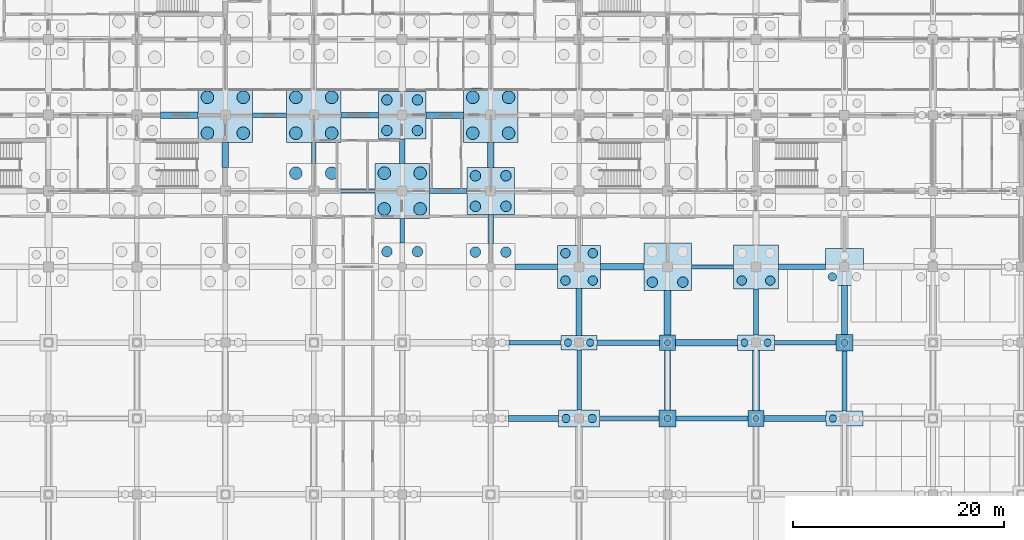
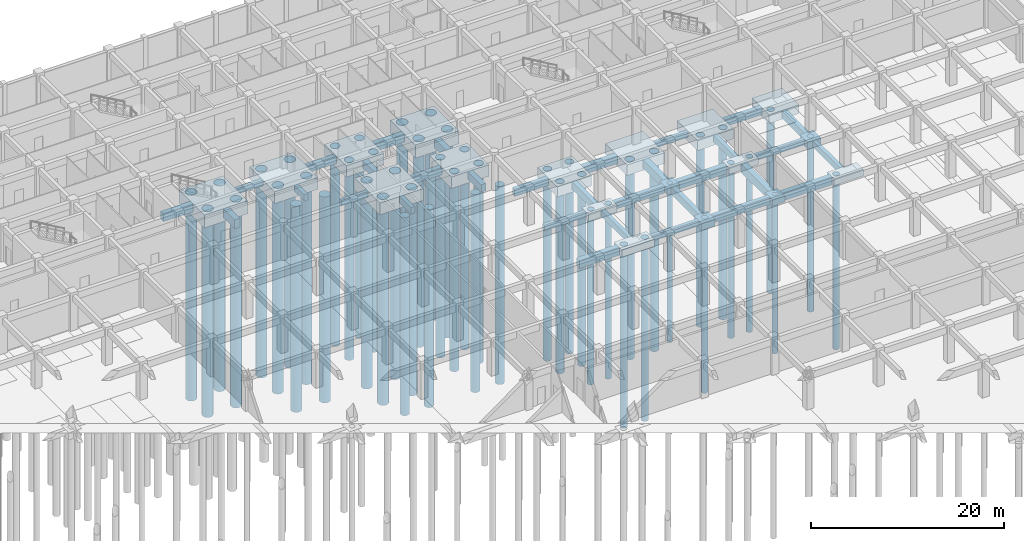
# One storey, part 10 of 85: 50 footings, 50 piles.
"""IFC4 building model written with IfcOpenShell, lengths in metres."""

from ifc_helpers import new_model, si_unit, direction, frame, origin, origin_2d, place, context, subcontext, project, spatial, rectangle, circle, extrude, material, material_profile, profile_set, type_object, element, save


model = new_model("IFC4")

# Units and contexts
model_context = context("Model", 3, precision=1e-05, world=origin(), true_north=direction((0.0, 1.0)))
body_context = subcontext(model_context, "Body", "Model", "MODEL_VIEW")
ifc_project = project(units=[si_unit("LENGTHUNIT", "METRE"), si_unit("AREAUNIT", "SQUARE_METRE"), si_unit("VOLUMEUNIT", "CUBIC_METRE"), si_unit("PLANEANGLEUNIT", "RADIAN"), si_unit("MASSUNIT", "GRAM", prefix="KILO")], contexts=[model_context])

# Site, building, storey
site_placement = place(None, origin())
site = spatial("IfcSite", under=ifc_project, at=site_placement, CompositionType="ELEMENT")
building_placement = place(site_placement, origin())
building = spatial("IfcBuilding", under=site, at=building_placement, Name="Chengyuan Square Courthouse", CompositionType="ELEMENT")
storey_placement = place(building_placement, frame((0.0, 0.0, -10.199951171875)))
storey = spatial("IfcBuildingStorey", under=building, at=storey_placement, Name="B02", CompositionType="ELEMENT", Elevation=-10.199951171875)

# Footings
ifc_material = material(Name="Concrete C40", Category="concrete")
ifc_material_profile_1 = material_profile(ifc_material, rectangle(XDim=0.39990234375, YDim=0.699951171875, at=origin_2d()), Name="GB-400x700")
ifc_profile_set_1 = profile_set([ifc_material_profile_1], Name="Concrete C40")
footing_type_1 = type_object("IfcFootingType", Name="GB-01", PredefinedType="FOOTING_BEAM", material=ifc_profile_set_1)
footing_1_placement = place(storey_placement, frame((102.75, 64.800048828125, -1.150146484375), z_axis=(1.0, 0.0, 0.0), x_axis=(0.0, 1.0, 0.0)))
element("IfcFooting", 1, at=footing_1_placement, inside=storey, type_object=footing_type_1, Name="Ground Tie Beam GB-B02-0193", PredefinedType="FOOTING_BEAM", context=body_context, shape_type="SweptSolid", body=[
    extrude(rectangle(XDim=0.39990234375, YDim=0.699951171875, at=origin_2d()), origin(), (0.0, 0.0, 1.0), 5.64990234375),
])
footing_2_placement = place(storey_placement, frame((94.14990234375, 72.0, -1.150146484375), z_axis=(1.0, 0.0, 0.0), x_axis=(0.0, 1.0, 0.0)))
element("IfcFooting", 2, at=footing_2_placement, inside=storey, type_object=footing_type_1, Name="Ground Tie Beam GB-B02-0212", PredefinedType="FOOTING_BEAM", context=body_context, shape_type="SweptSolid", body=[
    extrude(rectangle(XDim=0.39990234375, YDim=0.699951171875, at=origin_2d()), origin(), (0.0, 0.0, 1.0), 4.9501953125),
])
footing_3_placement = place(storey_placement, frame((119.35009765625, 72.0, -1.150146484375), z_axis=(1.0, 0.0, 0.0), x_axis=(0.0, 1.0, 0.0)))
element("IfcFooting", 3, at=footing_3_placement, inside=storey, type_object=footing_type_1, Name="Ground Tie Beam GB-B02-0215", PredefinedType="FOOTING_BEAM", context=body_context, shape_type="SweptSolid", body=[
    extrude(rectangle(XDim=0.39990234375, YDim=0.699951171875, at=origin_2d()), origin(), (0.0, 0.0, 1.0), 5.849853515625),
])
footing_4_placement = place(storey_placement, frame((111.449951171875, 79.199951171875, -1.150146484375), z_axis=(1.0, 0.0, 0.0), x_axis=(0.0, 1.0, 0.0)))
element("IfcFooting", 4, at=footing_4_placement, inside=storey, type_object=footing_type_1, Name="Ground Tie Beam GB-B02-0234", PredefinedType="FOOTING_BEAM", context=body_context, shape_type="SweptSolid", body=[
    extrude(rectangle(XDim=0.39990234375, YDim=0.699951171875, at=origin_2d()), origin(), (0.0, 0.0, 1.0), 4.0),
])
for number, where, z_axis, x_axis, name in (
    (5, (78.199951171875, 86.39990234375, -1.150146484375), (1.0, 0.0, 0.0), (0.0, 1.0, 0.0), "Ground Tie Beam GB-B02-0250"),
    (6, (69.800048828125, 93.60009765625, -1.150146484375), (1.0, 0.0, 0.0), (0.0, 1.0, 0.0), "Ground Tie Beam GB-B02-0269"),
):
    element("IfcFooting", number, at=place(storey_placement, frame(where, z_axis=z_axis, x_axis=x_axis)), inside=storey, type_object=footing_type_1, Name=name, PredefinedType="FOOTING_BEAM", context=body_context, shape_type="SweptSolid", body=[
        extrude(rectangle(XDim=0.39990234375, YDim=0.699951171875, at=origin_2d()), origin(), (0.0, 0.0, 1.0), 3.199951171875),
    ])
ifc_material_profile_2 = material_profile(ifc_material, rectangle(XDim=0.449951171875, YDim=0.800048828125, at=origin_2d()), Name="GB-450x800")
ifc_profile_set_2 = profile_set([ifc_material_profile_2], Name="Concrete C40")
footing_type_2 = type_object("IfcFootingType", Name="GB-02", PredefinedType="FOOTING_BEAM", material=ifc_profile_set_2)
footing_5_placement = place(storey_placement, frame((75.60009765625, 89.0, -1.199951171875), z_axis=(0.0, 1.0, 0.0), x_axis=(-1.0, 0.0, 0.0)))
element("IfcFooting", 7, at=footing_5_placement, inside=storey, type_object=footing_type_2, Name="Ground Tie Beam GB-B02-0503", PredefinedType="FOOTING_BEAM", context=body_context, shape_type="SweptSolid", body=[
    extrude(rectangle(XDim=0.449951171875, YDim=0.800048828125, at=origin_2d()), origin(), (0.0, 0.0, 1.0), 2.0),
])
footing_6_placement = place(storey_placement, frame((84.0, 81.449951171875, -1.199951171875), z_axis=(0.0, 1.0, 0.0), x_axis=(-1.0, 0.0, 0.0)))
element("IfcFooting", 8, at=footing_6_placement, inside=storey, type_object=footing_type_2, Name="Ground Tie Beam GB-B02-0518", PredefinedType="FOOTING_BEAM", context=body_context, shape_type="SweptSolid", body=[
    extrude(rectangle(XDim=0.449951171875, YDim=0.800048828125, at=origin_2d()), origin(), (0.0, 0.0, 1.0), 2.35009765625),
])
footing_7_placement = place(storey_placement, frame((100.800048828125, 65.625, -1.199951171875), z_axis=(0.0, 1.0, 0.0), x_axis=(-1.0, 0.0, 0.0)))
element("IfcFooting", 9, at=footing_7_placement, inside=storey, type_object=footing_type_2, Name="Ground Tie Beam GB-B02-0548", PredefinedType="FOOTING_BEAM", context=body_context, shape_type="SweptSolid", body=[
    extrude(rectangle(XDim=0.449951171875, YDim=0.800048828125, at=origin_2d()), origin(), (0.0, 0.0, 1.0), 5.675048828125),
])
footing_8_placement = place(storey_placement, frame((117.60009765625, 72.72509765625, -1.199951171875), z_axis=(0.0, 1.0, 0.0), x_axis=(-1.0, 0.0, 0.0)))
element("IfcFooting", 10, at=footing_8_placement, inside=storey, type_object=footing_type_2, Name="Ground Tie Beam GB-B02-0581", PredefinedType="FOOTING_BEAM", context=body_context, shape_type="SweptSolid", body=[
    extrude(rectangle(XDim=0.449951171875, YDim=0.800048828125, at=origin_2d()), origin(), (0.0, 0.0, 1.0), 4.375),
])
footing_9_placement = place(storey_placement, frame((126.0, 65.52490234375, -1.199951171875), z_axis=(0.0, 1.0, 0.0), x_axis=(-1.0, 0.0, 0.0)))
element("IfcFooting", 11, at=footing_9_placement, inside=storey, type_object=footing_type_2, Name="Ground Tie Beam GB-B02-0596", PredefinedType="FOOTING_BEAM", context=body_context, shape_type="SweptSolid", body=[
    extrude(rectangle(XDim=0.449951171875, YDim=0.800048828125, at=origin_2d()), origin(), (0.0, 0.0, 1.0), 5.675048828125),
])
ifc_material_profile_3 = material_profile(ifc_material, rectangle(XDim=0.5, YDim=0.89990234375, at=origin_2d()), Name="GB-500x900")
ifc_profile_set_3 = profile_set([ifc_material_profile_3], Name="Concrete C40")
footing_type_3 = type_object("IfcFootingType", Name="GB-03", PredefinedType="FOOTING_BEAM", material=ifc_profile_set_3)
footing_10_placement = place(storey_placement, frame((110.0, 64.800048828125, -1.25), z_axis=(1.0, 0.0, 0.0), x_axis=(0.0, 1.0, 0.0)))
element("IfcFooting", 12, at=footing_10_placement, inside=storey, type_object=footing_type_3, Name="Ground Tie Beam GB-B02-0194", PredefinedType="FOOTING_BEAM", context=body_context, shape_type="SweptSolid", body=[
    extrude(rectangle(XDim=0.5, YDim=0.89990234375, at=origin_2d()), origin(), (0.0, 0.0, 1.0), 6.85009765625),
])
footing_11_placement = place(storey_placement, frame((102.5, 72.0, -1.25), z_axis=(1.0, 0.0, 0.0), x_axis=(0.0, 1.0, 0.0)))
element("IfcFooting", 13, at=footing_11_placement, inside=storey, type_object=footing_type_3, Name="Ground Tie Beam GB-B02-0213", PredefinedType="FOOTING_BEAM", context=body_context, shape_type="SweptSolid", body=[
    extrude(rectangle(XDim=0.5, YDim=0.89990234375, at=origin_2d()), origin(), (0.0, 0.0, 1.0), 5.949951171875),
])
footing_12_placement = place(storey_placement, frame((94.699951171875, 79.199951171875, -1.25), z_axis=(1.0, 0.0, 0.0), x_axis=(0.0, 1.0, 0.0)))
element("IfcFooting", 14, at=footing_12_placement, inside=storey, type_object=footing_type_3, Name="Ground Tie Beam GB-B02-0232", PredefinedType="FOOTING_BEAM", context=body_context, shape_type="SweptSolid", body=[
    extrude(rectangle(XDim=0.5, YDim=0.89990234375, at=origin_2d()), origin(), (0.0, 0.0, 1.0), 4.050048828125),
])
footing_13_placement = place(storey_placement, frame((119.75, 79.199951171875, -1.25), z_axis=(1.0, 0.0, 0.0), x_axis=(0.0, 1.0, 0.0)))
element("IfcFooting", 15, at=footing_13_placement, inside=storey, type_object=footing_type_3, Name="Ground Tie Beam GB-B02-0235", PredefinedType="FOOTING_BEAM", context=body_context, shape_type="SweptSolid", body=[
    extrude(rectangle(XDim=0.5, YDim=0.89990234375, at=origin_2d()), origin(), (0.0, 0.0, 1.0), 4.449951171875),
])
footing_14_placement = place(storey_placement, frame((86.60009765625, 86.39990234375, -1.25), z_axis=(1.0, 0.0, 0.0), x_axis=(0.0, 1.0, 0.0)))
element("IfcFooting", 16, at=footing_14_placement, inside=storey, type_object=footing_type_3, Name="Ground Tie Beam GB-B02-0251", PredefinedType="FOOTING_BEAM", context=body_context, shape_type="SweptSolid", body=[
    extrude(rectangle(XDim=0.5, YDim=0.89990234375, at=origin_2d()), origin(), (0.0, 0.0, 1.0), 3.5498046875),
])
footing_15_placement = place(storey_placement, frame((78.199951171875, 93.60009765625, -1.25), z_axis=(1.0, 0.0, 0.0), x_axis=(0.0, 1.0, 0.0)))
element("IfcFooting", 17, at=footing_15_placement, inside=storey, type_object=footing_type_3, Name="Ground Tie Beam GB-B02-0270", PredefinedType="FOOTING_BEAM", context=body_context, shape_type="SweptSolid", body=[
    extrude(rectangle(XDim=0.5, YDim=0.89990234375, at=origin_2d()), origin(), (0.0, 0.0, 1.0), 3.550048828125),
])
ifc_material_profile_4 = material_profile(ifc_material, rectangle(XDim=0.550048828125, YDim=0.949951171875, at=origin_2d()), Name="GB-550x950")
ifc_profile_set_4 = profile_set([ifc_material_profile_4], Name="Concrete C40")
footing_type_4 = type_object("IfcFootingType", Name="GB-04", PredefinedType="FOOTING_BEAM", material=ifc_profile_set_4)
footing_16_placement = place(storey_placement, frame((84.0, 89.0, -1.275146484375), z_axis=(0.0, 1.0, 0.0), x_axis=(-1.0, 0.0, 0.0)))
element("IfcFooting", 18, at=footing_16_placement, inside=storey, type_object=footing_type_4, Name="Ground Tie Beam GB-B02-0519", PredefinedType="FOOTING_BEAM", context=body_context, shape_type="SweptSolid", body=[
    extrude(rectangle(XDim=0.550048828125, YDim=0.949951171875, at=origin_2d()), origin(), (0.0, 0.0, 1.0), 2.35009765625),
])
footing_17_placement = place(storey_placement, frame((92.39990234375, 81.39990234375, -1.275146484375), z_axis=(0.0, 1.0, 0.0), x_axis=(-1.0, 0.0, 0.0)))
element("IfcFooting", 19, at=footing_17_placement, inside=storey, type_object=footing_type_4, Name="Ground Tie Beam GB-B02-0534", PredefinedType="FOOTING_BEAM", context=body_context, shape_type="SweptSolid", body=[
    extrude(rectangle(XDim=0.550048828125, YDim=0.949951171875, at=origin_2d()), origin(), (0.0, 0.0, 1.0), 2.75),
])
footing_18_placement = place(storey_placement, frame((100.800048828125, 72.699951171875, -1.275146484375), z_axis=(0.0, 1.0, 0.0), x_axis=(-1.0, 0.0, 0.0)))
element("IfcFooting", 20, at=footing_18_placement, inside=storey, type_object=footing_type_4, Name="Ground Tie Beam GB-B02-0549", PredefinedType="FOOTING_BEAM", context=body_context, shape_type="SweptSolid", body=[
    extrude(rectangle(XDim=0.550048828125, YDim=0.949951171875, at=origin_2d()), origin(), (0.0, 0.0, 1.0), 4.449951171875),
])
footing_19_placement = place(storey_placement, frame((109.199951171875, 65.60009765625, -1.275146484375), z_axis=(0.0, 1.0, 0.0), x_axis=(-1.0, 0.0, 0.0)))
element("IfcFooting", 21, at=footing_19_placement, inside=storey, type_object=footing_type_4, Name="Ground Tie Beam GB-B02-0564", PredefinedType="FOOTING_BEAM", context=body_context, shape_type="SweptSolid", body=[
    extrude(rectangle(XDim=0.550048828125, YDim=0.949951171875, at=origin_2d()), origin(), (0.0, 0.0, 1.0), 5.64990234375),
])
footing_20_placement = place(storey_placement, frame((126.0, 72.800048828125, -1.275146484375), z_axis=(0.0, 1.0, 0.0), x_axis=(-1.0, 0.0, 0.0)))
element("IfcFooting", 22, at=footing_20_placement, inside=storey, type_object=footing_type_4, Name="Ground Tie Beam GB-B02-0597", PredefinedType="FOOTING_BEAM", context=body_context, shape_type="SweptSolid", body=[
    extrude(rectangle(XDim=0.550048828125, YDim=0.949951171875, at=origin_2d()), origin(), (0.0, 0.0, 1.0), 4.64990234375),
])
ifc_material_profile_5 = material_profile(ifc_material, rectangle(XDim=0.60009765625, YDim=1.0, at=origin_2d()), Name="GB-600x1000")
ifc_profile_set_5 = profile_set([ifc_material_profile_5], Name="Concrete C40")
footing_type_5 = type_object("IfcFootingType", Name="GB-05", PredefinedType="FOOTING_BEAM", material=ifc_profile_set_5)
footing_21_placement = place(storey_placement, frame((94.10009765625, 64.800048828125, -1.300048828125), z_axis=(1.0, 0.0, 0.0), x_axis=(0.0, 1.0, 0.0)))
element("IfcFooting", 23, at=footing_21_placement, inside=storey, type_object=footing_type_5, Name="Ground Tie Beam GB-B02-0192", PredefinedType="FOOTING_BEAM", context=body_context, shape_type="SweptSolid", body=[
    extrude(rectangle(XDim=0.60009765625, YDim=1.0, at=origin_2d()), origin(), (0.0, 0.0, 1.0), 4.75),
])
footing_22_placement = place(storey_placement, frame((118.35009765625, 64.800048828125, -1.300048828125), z_axis=(1.0, 0.0, 0.0), x_axis=(0.0, 1.0, 0.0)))
element("IfcFooting", 24, at=footing_22_placement, inside=storey, type_object=footing_type_5, Name="Ground Tie Beam GB-B02-0195", PredefinedType="FOOTING_BEAM", context=body_context, shape_type="SweptSolid", body=[
    extrude(rectangle(XDim=0.60009765625, YDim=1.0, at=origin_2d()), origin(), (0.0, 0.0, 1.0), 5.89990234375),
])
footing_23_placement = place(storey_placement, frame((109.949951171875, 72.0, -1.300048828125), z_axis=(1.0, 0.0, 0.0), x_axis=(0.0, 1.0, 0.0)))
element("IfcFooting", 25, at=footing_23_placement, inside=storey, type_object=footing_type_5, Name="Ground Tie Beam GB-B02-0214", PredefinedType="FOOTING_BEAM", context=body_context, shape_type="SweptSolid", body=[
    extrude(rectangle(XDim=0.60009765625, YDim=1.0, at=origin_2d()), origin(), (0.0, 0.0, 1.0), 5.900146484375),
])
footing_24_placement = place(storey_placement, frame((102.85009765625, 79.199951171875, -1.300048828125), z_axis=(1.0, 0.0, 0.0), x_axis=(0.0, 1.0, 0.0)))
element("IfcFooting", 26, at=footing_24_placement, inside=storey, type_object=footing_type_5, Name="Ground Tie Beam GB-B02-0233", PredefinedType="FOOTING_BEAM", context=body_context, shape_type="SweptSolid", body=[
    extrude(rectangle(XDim=0.60009765625, YDim=1.0, at=origin_2d()), origin(), (0.0, 0.0, 1.0), 4.099853515625),
])
for number, where, z_axis, x_axis, name in (
    (27, (61.050048828125, 93.60009765625, -1.300048828125), (1.0, 0.0, 0.0), (0.0, 1.0, 0.0), "Ground Tie Beam GB-B02-0268"),
    (28, (86.25, 93.60009765625, -1.300048828125), (1.0, 0.0, 0.0), (0.0, 1.0, 0.0), "Ground Tie Beam GB-B02-0271"),
):
    element("IfcFooting", number, at=place(storey_placement, frame(where, z_axis=z_axis, x_axis=x_axis)), inside=storey, type_object=footing_type_5, Name=name, PredefinedType="FOOTING_BEAM", context=body_context, shape_type="SweptSolid", body=[
        extrude(rectangle(XDim=0.60009765625, YDim=1.0, at=origin_2d()), origin(), (0.0, 0.0, 1.0), 3.550048828125),
    ])
ifc_material_profile_6 = material_profile(ifc_material, rectangle(XDim=0.64990234375, YDim=1.10009765625, at=origin_2d()), Name="GB-650x1100")
ifc_profile_set_6 = profile_set([ifc_material_profile_6], Name="Concrete C40")
footing_type_6 = type_object("IfcFootingType", Name="GB-06", PredefinedType="FOOTING_BEAM", material=ifc_profile_set_6)
for number, where, z_axis, x_axis, name in (
    (29, (67.199951171875, 88.64990234375, -1.35009765625), (0.0, 1.0, 0.0), (-1.0, 0.0, 0.0), "Ground Tie Beam GB-B02-0487"),
    (30, (92.39990234375, 88.64990234375, -1.35009765625), (0.0, 1.0, 0.0), (-1.0, 0.0, 0.0), "Ground Tie Beam GB-B02-0535"),
):
    element("IfcFooting", number, at=place(storey_placement, frame(where, z_axis=z_axis, x_axis=x_axis)), inside=storey, type_object=footing_type_6, Name=name, PredefinedType="FOOTING_BEAM", context=body_context, shape_type="SweptSolid", body=[
        extrude(rectangle(XDim=0.64990234375, YDim=1.10009765625, at=origin_2d()), origin(), (0.0, 0.0, 1.0), 2.35009765625),
    ])
footing_25_placement = place(storey_placement, frame((109.199951171875, 72.75, -1.35009765625), z_axis=(0.0, 1.0, 0.0), x_axis=(-1.0, 0.0, 0.0)))
element("IfcFooting", 31, at=footing_25_placement, inside=storey, type_object=footing_type_6, Name="Ground Tie Beam GB-B02-0565", PredefinedType="FOOTING_BEAM", context=body_context, shape_type="SweptSolid", body=[
    extrude(rectangle(XDim=0.64990234375, YDim=1.10009765625, at=origin_2d()), origin(), (0.0, 0.0, 1.0), 4.199951171875),
])
footing_26_placement = place(storey_placement, frame((117.60009765625, 65.550048828125, -1.35009765625), z_axis=(0.0, 1.0, 0.0), x_axis=(-1.0, 0.0, 0.0)))
element("IfcFooting", 32, at=footing_26_placement, inside=storey, type_object=footing_type_6, Name="Ground Tie Beam GB-B02-0580", PredefinedType="FOOTING_BEAM", context=body_context, shape_type="SweptSolid", body=[
    extrude(rectangle(XDim=0.64990234375, YDim=1.10009765625, at=origin_2d()), origin(), (0.0, 0.0, 1.0), 5.724853515625),
])
footing_type_7 = type_object("IfcFootingType", Name="PC-01", PredefinedType="PILE_CAP", material=ifc_material)
for number, where, z_axis, x_axis, name in (
    (33, (67.199951171875, 93.60009765625, -2.449951171875), (0.0, 0.0, 1.0), (1.0, 0.0, 0.0), "Pile Cap PC-B02-150"),
    (34, (92.39990234375, 93.60009765625, -2.449951171875), (0.0, 0.0, 1.0), (1.0, 0.0, 0.0), "Pile Cap PC-B02-201"),
):
    element("IfcFooting", number, at=place(storey_placement, frame(where, z_axis=z_axis, x_axis=x_axis)), inside=storey, type_object=footing_type_7, Name=name, PredefinedType="PILE_CAP", context=body_context, shape_type="SweptSolid", body=[
        extrude(rectangle(XDim=5.199951171875, YDim=5.199951171875, at=origin_2d()), origin(), (0.0, 0.0, 1.0), 1.64990234375),
    ])
footing_type_8 = type_object("IfcFootingType", Name="PC-02", PredefinedType="PILE_CAP", material=ifc_material)
for number, where, z_axis, x_axis, name in (
    (35, (75.60009765625, 93.60009765625, -2.300048828125), (0.0, 0.0, 1.0), (1.0, 0.0, 0.0), "Pile Cap PC-B02-167"),
    (36, (84.0, 86.39990234375, -2.300048828125), (0.0, 0.0, 1.0), (1.0, 0.0, 0.0), "Pile Cap PC-B02-183"),
):
    element("IfcFooting", number, at=place(storey_placement, frame(where, z_axis=z_axis, x_axis=x_axis)), inside=storey, type_object=footing_type_8, Name=name, PredefinedType="PILE_CAP", context=body_context, shape_type="SweptSolid", body=[
        extrude(rectangle(XDim=5.199951171875, YDim=5.199951171875, at=origin_2d()), origin(), (0.0, 0.0, 1.0), 1.5),
    ])
footing_type_9 = type_object("IfcFootingType", Name="PC-03", PredefinedType="PILE_CAP", material=ifc_material)
for number, where, z_axis, x_axis, name in (
    (37, (84.0, 93.60009765625, -2.25), (0.0, 0.0, 1.0), (1.0, 0.0, 0.0), "Pile Cap PC-B02-184"),
    (38, (92.39990234375, 86.39990234375, -2.25), (0.0, 0.0, 1.0), (1.0, 0.0, 0.0), "Pile Cap PC-B02-200"),
):
    element("IfcFooting", number, at=place(storey_placement, frame(where, z_axis=z_axis, x_axis=x_axis)), inside=storey, type_object=footing_type_9, Name=name, PredefinedType="PILE_CAP", context=body_context, shape_type="SweptSolid", body=[
        extrude(rectangle(XDim=4.5, YDim=4.5, at=origin_2d()), origin(), (0.0, 0.0, 1.0), 1.449951171875),
    ])
footing_type_10 = type_object("IfcFootingType", Name="PC-04", PredefinedType="PILE_CAP", material=ifc_material)
footing_27_placement = place(storey_placement, frame((109.199951171875, 79.199951171875, -2.150146484375), z_axis=(0.0, 0.0, 1.0), x_axis=(1.0, 0.0, 0.0)))
element("IfcFooting", 39, at=footing_27_placement, inside=storey, type_object=footing_type_10, Name="Pile Cap PC-B02-233", PredefinedType="PILE_CAP", context=body_context, shape_type="SweptSolid", body=[
    extrude(rectangle(XDim=4.5, YDim=4.5, at=origin_2d()), origin(), (0.0, 0.0, 1.0), 1.35009765625),
])
footing_type_11 = type_object("IfcFootingType", Name="PC-06", PredefinedType="PILE_CAP", material=ifc_material)
footing_28_placement = place(storey_placement, frame((100.800048828125, 79.199951171875, -2.10009765625), z_axis=(0.0, 0.0, 1.0), x_axis=(1.0, 0.0, 0.0)))
element("IfcFooting", 40, at=footing_28_placement, inside=storey, type_object=footing_type_11, Name="Pile Cap PC-B02-216", PredefinedType="PILE_CAP", context=body_context, shape_type="SweptSolid", body=[
    extrude(rectangle(XDim=4.10009765625, YDim=4.10009765625, at=origin_2d()), origin(), (0.0, 0.0, 1.0), 1.300048828125),
])
footing_type_12 = type_object("IfcFootingType", Name="PC-08", PredefinedType="PILE_CAP", material=ifc_material)
footing_29_placement = place(storey_placement, frame((117.60009765625, 79.199951171875, -2.050048828125), z_axis=(0.0, 0.0, 1.0), x_axis=(1.0, 0.0, 0.0)))
element("IfcFooting", 41, at=footing_29_placement, inside=storey, type_object=footing_type_12, Name="Pile Cap PC-B02-250", PredefinedType="PILE_CAP", context=body_context, shape_type="SweptSolid", body=[
    extrude(rectangle(XDim=4.300048828125, YDim=4.199951171875, at=origin_2d()), origin(), (0.0, 0.0, 1.0), 1.25),
])
footing_type_13 = type_object("IfcFootingType", Name="PC-12", PredefinedType="PILE_CAP", material=ifc_material)
footing_30_placement = place(storey_placement, frame((126.0, 79.199951171875, -1.900146484375), z_axis=(0.0, 0.0, 1.0), x_axis=(1.0, 0.0, 0.0)))
element("IfcFooting", 42, at=footing_30_placement, inside=storey, type_object=footing_type_13, Name="Pile Cap PC-B02-267", PredefinedType="PILE_CAP", context=body_context, shape_type="SweptSolid", body=[
    extrude(rectangle(XDim=3.60009765625, YDim=3.5, at=origin_2d()), origin(), (0.0, 0.0, 1.0), 1.10009765625),
])
footing_type_14 = type_object("IfcFootingType", Name="PC-16", PredefinedType="PILE_CAP", material=ifc_material)
footing_31_placement = place(storey_placement, frame((100.800048828125, 64.800048828125, -1.75), z_axis=(0.0, 0.0, 1.0), x_axis=(1.0, 0.0, 0.0)))
element("IfcFooting", 43, at=footing_31_placement, inside=storey, type_object=footing_type_14, Name="Pile Cap PC-B02-214", PredefinedType="PILE_CAP", context=body_context, shape_type="SweptSolid", body=[
    extrude(rectangle(XDim=3.89990234375, YDim=1.64990234375, at=origin_2d()), origin(), (0.0, 0.0, 1.0), 0.949951171875),
])
footing_type_15 = type_object("IfcFootingType", Name="PC-17", PredefinedType="PILE_CAP", material=ifc_material)
footing_32_placement = place(storey_placement, frame((100.800048828125, 72.0, -1.75), z_axis=(0.0, 0.0, 1.0), x_axis=(1.0, 0.0, 0.0)))
element("IfcFooting", 44, at=footing_32_placement, inside=storey, type_object=footing_type_15, Name="Pile Cap PC-B02-215", PredefinedType="PILE_CAP", context=body_context, shape_type="SweptSolid", body=[
    extrude(rectangle(XDim=3.39990234375, YDim=1.39990234375, at=origin_2d()), origin(), (0.0, 0.0, 1.0), 0.949951171875),
])
footing_type_16 = type_object("IfcFootingType", Name="PC-19", PredefinedType="PILE_CAP", material=ifc_material)
for number, where, z_axis, x_axis, name in (
    (45, (117.60009765625, 72.0, -1.650146484375), (0.0, 0.0, 1.0), (1.0, 0.0, 0.0), "Pile Cap PC-B02-249"),
    (46, (126.0, 64.800048828125, -1.650146484375), (0.0, 0.0, 1.0), (1.0, 0.0, 0.0), "Pile Cap PC-B02-265"),
):
    element("IfcFooting", number, at=place(storey_placement, frame(where, z_axis=z_axis, x_axis=x_axis)), inside=storey, type_object=footing_type_16, Name=name, PredefinedType="PILE_CAP", context=body_context, shape_type="SweptSolid", body=[
        extrude(rectangle(XDim=3.5, YDim=1.449951171875, at=origin_2d()), origin(), (0.0, 0.0, 1.0), 0.85009765625),
    ])
footing_type_17 = type_object("IfcFootingType", Name="PC-20", PredefinedType="PILE_CAP", material=ifc_material)
for number, where, z_axis, x_axis, name in (
    (47, (109.199951171875, 64.800048828125, -1.699951171875), (0.0, 0.0, 1.0), (1.0, 0.0, 0.0), "Pile Cap PC-B02-231"),
    (48, (126.0, 72.0, -1.699951171875), (0.0, 0.0, 1.0), (1.0, 0.0, 0.0), "Pile Cap PC-B02-266"),
):
    element("IfcFooting", number, at=place(storey_placement, frame(where, z_axis=z_axis, x_axis=x_axis)), inside=storey, type_object=footing_type_17, Name=name, PredefinedType="PILE_CAP", context=body_context, shape_type="SweptSolid", body=[
        extrude(rectangle(XDim=1.60009765625, YDim=1.60009765625, at=origin_2d()), origin(), (0.0, 0.0, 1.0), 0.89990234375),
    ])
footing_type_18 = type_object("IfcFootingType", Name="PC-21", PredefinedType="PILE_CAP", material=ifc_material)
for number, where, z_axis, x_axis, name in (
    (49, (109.199951171875, 72.0, -1.650146484375), (0.0, 0.0, 1.0), (1.0, 0.0, 0.0), "Pile Cap PC-B02-232"),
    (50, (117.60009765625, 64.800048828125, -1.650146484375), (0.0, 0.0, 1.0), (1.0, 0.0, 0.0), "Pile Cap PC-B02-248"),
):
    element("IfcFooting", number, at=place(storey_placement, frame(where, z_axis=z_axis, x_axis=x_axis)), inside=storey, type_object=footing_type_18, Name=name, PredefinedType="PILE_CAP", context=body_context, shape_type="SweptSolid", body=[
        extrude(rectangle(XDim=1.5, YDim=1.5, at=origin_2d()), origin(), (0.0, 0.0, 1.0), 0.85009765625),
    ])

# Piles
ifc_material_profile_7 = material_profile(ifc_material, circle(Radius=0.300048828125, at=origin_2d()), Name="BORED PILE D600")
ifc_profile_set_7 = profile_set([ifc_material_profile_7], Name="Concrete C40")
pile_type_1 = type_object("IfcPileType", Name="PL-01", PredefinedType="BORED", material=ifc_profile_set_7)
for number, where, z_axis, x_axis, name in (
    (51, (109.199951171875, 72.0, -0.800048828125), (0.0, 0.0, -1.0), (1.0, 0.0, 0.0), "Bored Pile PL-B02-0463"),
    (52, (117.60009765625, 64.800048828125, -0.800048828125), (0.0, 0.0, -1.0), (1.0, 0.0, 0.0), "Bored Pile PL-B02-0499"),
):
    element("IfcPile", number, at=place(storey_placement, frame(where, z_axis=z_axis, x_axis=x_axis)), inside=storey, type_object=pile_type_1, Name=name, PredefinedType="BORED", context=body_context, shape_type="SweptSolid", body=[
        extrude(circle(Radius=0.300048828125, at=origin_2d()), origin(), (0.0, 0.0, 1.0), 20.0),
    ])
ifc_material_profile_8 = material_profile(ifc_material, circle(Radius=0.35009765625, at=origin_2d()), Name="BORED PILE D700")
ifc_profile_set_8 = profile_set([ifc_material_profile_8], Name="Concrete C40")
pile_type_2 = type_object("IfcPileType", Name="PL-02", PredefinedType="BORED", material=ifc_profile_set_8)
for number, where, z_axis, x_axis, name in (
    (53, (99.75, 72.0, -0.800048828125), (0.0, 0.0, -1.0), (1.0, 0.0, 0.0), "Bored Pile PL-B02-0424"),
    (54, (101.85009765625, 72.0, -0.800048828125), (0.0, 0.0, -1.0), (1.0, 0.0, 0.0), "Bored Pile PL-B02-0425"),
    (55, (109.199951171875, 64.800048828125, -0.800048828125), (0.0, 0.0, -1.0), (1.0, 0.0, 0.0), "Bored Pile PL-B02-0462"),
    (56, (116.5, 72.0, -0.800048828125), (0.0, 0.0, -1.0), (1.0, 0.0, 0.0), "Bored Pile PL-B02-0500"),
    (57, (118.699951171875, 72.0, -0.800048828125), (0.0, 0.0, -1.0), (1.0, 0.0, 0.0), "Bored Pile PL-B02-0501"),
    (58, (124.89990234375, 64.800048828125, -0.800048828125), (0.0, 0.0, -1.0), (1.0, 0.0, 0.0), "Bored Pile PL-B02-0538"),
    (59, (126.0, 72.0, -0.800048828125), (0.0, 0.0, -1.0), (1.0, 0.0, 0.0), "Bored Pile PL-B02-0540"),
):
    element("IfcPile", number, at=place(storey_placement, frame(where, z_axis=z_axis, x_axis=x_axis)), inside=storey, type_object=pile_type_2, Name=name, PredefinedType="BORED", context=body_context, shape_type="SweptSolid", body=[
        extrude(circle(Radius=0.35009765625, at=origin_2d()), origin(), (0.0, 0.0, 1.0), 22.0),
    ])
ifc_material_profile_9 = material_profile(ifc_material, circle(Radius=0.39990234375, at=origin_2d()), Name="BORED PILE D800")
ifc_profile_set_9 = profile_set([ifc_material_profile_9], Name="Concrete C40")
pile_type_3 = type_object("IfcPileType", Name="PL-03", PredefinedType="BORED", material=ifc_profile_set_9)
for number, where, z_axis, x_axis, name in (
    (60, (99.550048828125, 64.800048828125, -0.800048828125), (0.0, 0.0, -1.0), (1.0, 0.0, 0.0), "Bored Pile PL-B02-0422"),
    (61, (102.050048828125, 64.800048828125, -0.800048828125), (0.0, 0.0, -1.0), (1.0, 0.0, 0.0), "Bored Pile PL-B02-0423"),
    (62, (124.85009765625, 78.25, -0.800048828125), (0.0, 0.0, -1.0), (1.0, 0.0, 0.0), "Bored Pile PL-B02-0541"),
):
    element("IfcPile", number, at=place(storey_placement, frame(where, z_axis=z_axis, x_axis=x_axis)), inside=storey, type_object=pile_type_3, Name=name, PredefinedType="BORED", context=body_context, shape_type="SweptSolid", body=[
        extrude(circle(Radius=0.39990234375, at=origin_2d()), origin(), (0.0, 0.0, 1.0), 23.0),
    ])
ifc_material_profile_10 = material_profile(ifc_material, circle(Radius=0.449951171875, at=origin_2d()), Name="BORED PILE D900")
ifc_profile_set_10 = profile_set([ifc_material_profile_10], Name="Concrete C40")
pile_type_4 = type_object("IfcPileType", Name="PL-04", PredefinedType="BORED", material=ifc_profile_set_10)
for number, where, z_axis, x_axis, name in (
    (63, (99.5, 77.89990234375, -0.800048828125), (0.0, 0.0, -1.0), (1.0, 0.0, 0.0), "Bored Pile PL-B02-0426"),
    (64, (102.10009765625, 77.89990234375, -0.800048828125), (0.0, 0.0, -1.0), (1.0, 0.0, 0.0), "Bored Pile PL-B02-0427"),
    (65, (99.5, 80.5, -0.800048828125), (0.0, 0.0, -1.0), (1.0, 0.0, 0.0), "Bored Pile PL-B02-0428"),
    (66, (102.10009765625, 80.5, -0.800048828125), (0.0, 0.0, -1.0), (1.0, 0.0, 0.0), "Bored Pile PL-B02-0429"),
    (67, (116.25, 77.89990234375, -0.800048828125), (0.0, 0.0, -1.0), (1.0, 0.0, 0.0), "Bored Pile PL-B02-0502"),
    (68, (118.949951171875, 77.89990234375, -0.800048828125), (0.0, 0.0, -1.0), (1.0, 0.0, 0.0), "Bored Pile PL-B02-0503"),
):
    element("IfcPile", number, at=place(storey_placement, frame(where, z_axis=z_axis, x_axis=x_axis)), inside=storey, type_object=pile_type_4, Name=name, PredefinedType="BORED", context=body_context, shape_type="SweptSolid", body=[
        extrude(circle(Radius=0.449951171875, at=origin_2d()), origin(), (0.0, 0.0, 1.0), 24.0),
    ])
ifc_material_profile_11 = material_profile(ifc_material, circle(Radius=0.5, at=origin_2d()), Name="BORED PILE D1000")
ifc_profile_set_11 = profile_set([ifc_material_profile_11], Name="Concrete C40")
pile_type_5 = type_object("IfcPileType", Name="PL-05", PredefinedType="BORED", material=ifc_profile_set_11)
for number, where, z_axis, x_axis, name in (
    (69, (82.550048828125, 80.64990234375, -0.800048828125), (0.0, 0.0, -1.0), (1.0, 0.0, 0.0), "Bored Pile PL-B02-0349"),
    (70, (85.449951171875, 80.64990234375, -0.800048828125), (0.0, 0.0, -1.0), (1.0, 0.0, 0.0), "Bored Pile PL-B02-0350"),
    (71, (82.550048828125, 92.14990234375, -0.800048828125), (0.0, 0.0, -1.0), (1.0, 0.0, 0.0), "Bored Pile PL-B02-0355"),
    (72, (85.449951171875, 92.14990234375, -0.800048828125), (0.0, 0.0, -1.0), (1.0, 0.0, 0.0), "Bored Pile PL-B02-0356"),
    (73, (82.550048828125, 95.050048828125, -0.800048828125), (0.0, 0.0, -1.0), (1.0, 0.0, 0.0), "Bored Pile PL-B02-0357"),
    (74, (85.449951171875, 95.050048828125, -0.800048828125), (0.0, 0.0, -1.0), (1.0, 0.0, 0.0), "Bored Pile PL-B02-0358"),
    (75, (90.949951171875, 80.60009765625, -0.800048828125), (0.0, 0.0, -1.0), (1.0, 0.0, 0.0), "Bored Pile PL-B02-0388"),
    (76, (93.85009765625, 80.60009765625, -0.800048828125), (0.0, 0.0, -1.0), (1.0, 0.0, 0.0), "Bored Pile PL-B02-0389"),
    (77, (90.949951171875, 84.949951171875, -0.800048828125), (0.0, 0.0, -1.0), (1.0, 0.0, 0.0), "Bored Pile PL-B02-0390"),
    (78, (93.85009765625, 84.949951171875, -0.800048828125), (0.0, 0.0, -1.0), (1.0, 0.0, 0.0), "Bored Pile PL-B02-0391"),
    (79, (90.949951171875, 87.85009765625, -0.800048828125), (0.0, 0.0, -1.0), (1.0, 0.0, 0.0), "Bored Pile PL-B02-0392"),
    (80, (93.85009765625, 87.85009765625, -0.800048828125), (0.0, 0.0, -1.0), (1.0, 0.0, 0.0), "Bored Pile PL-B02-0393"),
    (81, (107.75, 77.75, -0.800048828125), (0.0, 0.0, -1.0), (1.0, 0.0, 0.0), "Bored Pile PL-B02-0464"),
    (82, (110.64990234375, 77.75, -0.800048828125), (0.0, 0.0, -1.0), (1.0, 0.0, 0.0), "Bored Pile PL-B02-0465"),
):
    element("IfcPile", number, at=place(storey_placement, frame(where, z_axis=z_axis, x_axis=x_axis)), inside=storey, type_object=pile_type_5, Name=name, PredefinedType="BORED", context=body_context, shape_type="SweptSolid", body=[
        extrude(circle(Radius=0.5, at=origin_2d()), origin(), (0.0, 0.0, 1.0), 25.0),
    ])
ifc_material_profile_12 = material_profile(ifc_material, circle(Radius=0.60009765625, at=origin_2d()), Name="BORED PILE D1200")
ifc_profile_set_12 = profile_set([ifc_material_profile_12], Name="Concrete C40")
pile_type_6 = type_object("IfcPileType", Name="PL-06", PredefinedType="BORED", material=ifc_profile_set_12)
for number, where, z_axis, x_axis, name in (
    (83, (65.5, 91.89990234375, -0.800048828125), (0.0, 0.0, -1.0), (1.0, 0.0, 0.0), "Bored Pile PL-B02-0277"),
    (84, (68.89990234375, 91.89990234375, -0.800048828125), (0.0, 0.0, -1.0), (1.0, 0.0, 0.0), "Bored Pile PL-B02-0278"),
    (85, (65.5, 95.300048828125, -0.800048828125), (0.0, 0.0, -1.0), (1.0, 0.0, 0.0), "Bored Pile PL-B02-0279"),
    (86, (68.89990234375, 95.300048828125, -0.800048828125), (0.0, 0.0, -1.0), (1.0, 0.0, 0.0), "Bored Pile PL-B02-0280"),
    (87, (73.89990234375, 88.10009765625, -0.800048828125), (0.0, 0.0, -1.0), (1.0, 0.0, 0.0), "Bored Pile PL-B02-0314"),
    (88, (77.300048828125, 88.10009765625, -0.800048828125), (0.0, 0.0, -1.0), (1.0, 0.0, 0.0), "Bored Pile PL-B02-0315"),
    (89, (73.89990234375, 91.89990234375, -0.800048828125), (0.0, 0.0, -1.0), (1.0, 0.0, 0.0), "Bored Pile PL-B02-0316"),
    (90, (77.300048828125, 91.89990234375, -0.800048828125), (0.0, 0.0, -1.0), (1.0, 0.0, 0.0), "Bored Pile PL-B02-0317"),
    (91, (73.89990234375, 95.300048828125, -0.800048828125), (0.0, 0.0, -1.0), (1.0, 0.0, 0.0), "Bored Pile PL-B02-0318"),
    (92, (77.300048828125, 95.300048828125, -0.800048828125), (0.0, 0.0, -1.0), (1.0, 0.0, 0.0), "Bored Pile PL-B02-0319"),
    (93, (82.300048828125, 84.699951171875, -0.800048828125), (0.0, 0.0, -1.0), (1.0, 0.0, 0.0), "Bored Pile PL-B02-0351"),
    (94, (85.699951171875, 84.699951171875, -0.800048828125), (0.0, 0.0, -1.0), (1.0, 0.0, 0.0), "Bored Pile PL-B02-0352"),
    (95, (82.300048828125, 88.10009765625, -0.800048828125), (0.0, 0.0, -1.0), (1.0, 0.0, 0.0), "Bored Pile PL-B02-0353"),
    (96, (85.699951171875, 88.10009765625, -0.800048828125), (0.0, 0.0, -1.0), (1.0, 0.0, 0.0), "Bored Pile PL-B02-0354"),
    (97, (90.699951171875, 91.89990234375, -0.800048828125), (0.0, 0.0, -1.0), (1.0, 0.0, 0.0), "Bored Pile PL-B02-0394"),
    (98, (94.10009765625, 91.89990234375, -0.800048828125), (0.0, 0.0, -1.0), (1.0, 0.0, 0.0), "Bored Pile PL-B02-0395"),
    (99, (90.699951171875, 95.300048828125, -0.800048828125), (0.0, 0.0, -1.0), (1.0, 0.0, 0.0), "Bored Pile PL-B02-0396"),
    (100, (94.10009765625, 95.300048828125, -0.800048828125), (0.0, 0.0, -1.0), (1.0, 0.0, 0.0), "Bored Pile PL-B02-0397"),
):
    element("IfcPile", number, at=place(storey_placement, frame(where, z_axis=z_axis, x_axis=x_axis)), inside=storey, type_object=pile_type_6, Name=name, PredefinedType="BORED", context=body_context, shape_type="SweptSolid", body=[
        extrude(circle(Radius=0.60009765625, at=origin_2d()), origin(), (0.0, 0.0, 1.0), 26.0),
    ])

save(model, "model.ifc")
